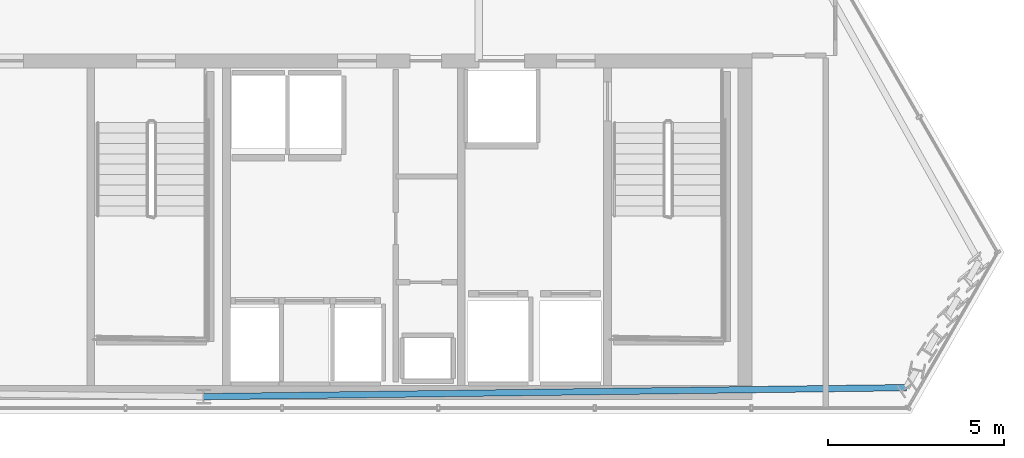
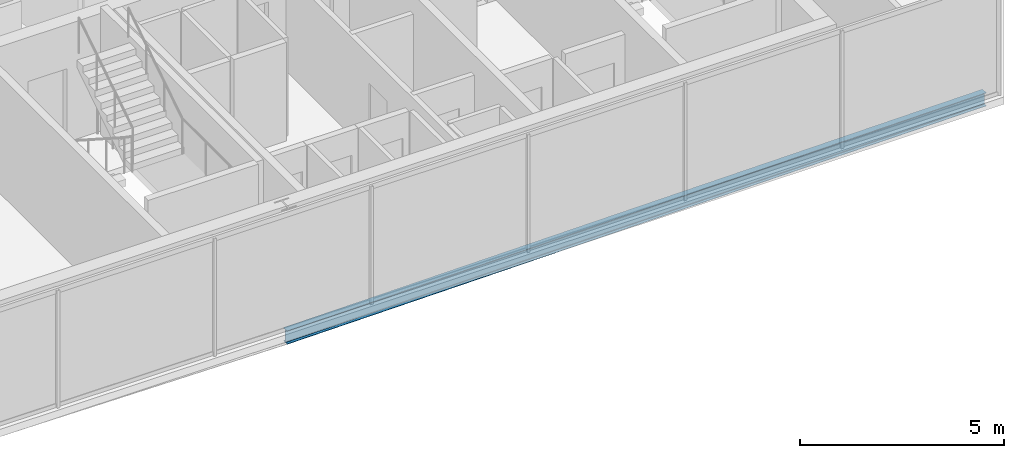
# One storey, part 22 of 35: 1 beam.
"""IFC4 building model written with IfcOpenShell, lengths in metres."""

from ifc_helpers import new_model, si_unit, direction, frame, origin, origin_2d, place, context, subcontext, project, spatial, i_section, extrude, material, material_profile, profile_set, type_object, element, save


model = new_model("IFC4")

# Units and contexts
model_context = context("Model", 3, precision=1e-05, world=origin(), true_north=direction((0.0, 1.0)))
body_context = subcontext(model_context, "Body", "Model", "MODEL_VIEW")
ifc_project = project(units=[si_unit("LENGTHUNIT", "METRE"), si_unit("AREAUNIT", "SQUARE_METRE"), si_unit("VOLUMEUNIT", "CUBIC_METRE"), si_unit("PLANEANGLEUNIT", "RADIAN"), si_unit("MASSUNIT", "GRAM", prefix="KILO")], contexts=[model_context])

# Site, building, storey
site_placement = place(None, origin())
site = spatial("IfcSite", under=ifc_project, at=site_placement, CompositionType="ELEMENT")
building_placement = place(site_placement, origin())
building = spatial("IfcBuilding", under=site, at=building_placement, Name="Ndaravel Arena Tower", CompositionType="ELEMENT")
storey_placement = place(building_placement, frame((0.0, 0.0, 275.0)))
storey = spatial("IfcBuildingStorey", under=building, at=storey_placement, Name="L67", CompositionType="ELEMENT", Elevation=275.0)

# Beam
ifc_material = material(Name="Steel S355", Category="steel")
ifc_material_profile = material_profile(ifc_material, i_section(OverallWidth=0.179931640625, OverallDepth=0.39990234375, WebThickness=0.008544921875, FlangeThickness=0.013427734375, FilletRadius=0.02099609375, at=origin_2d()), Name="IPE 400")
ifc_profile_set = profile_set([ifc_material_profile], Name="Steel S355")
beam_type = type_object("IfcBeamType", Name="BM-SPAN-IPE400", PredefinedType="SPANDREL", material=ifc_profile_set)
beam_placement = place(storey_placement, frame((42.0, 5.47998046875, -0.419921875), z_axis=(0.999917694391, 0.012829826299, 0.0), x_axis=(-0.012829826299, 0.999917694391, 0.0)))
element("IfcBeam", 1, at=beam_placement, inside=storey, type_object=beam_type, Name="L67 Perimeter Spandrel Beam SP-01", PredefinedType="SPANDREL", context=body_context, shape_type="SweptSolid", body=[
    extrude(i_section(OverallWidth=0.179931640625, OverallDepth=0.39990234375, WebThickness=0.008544921875, FlangeThickness=0.013427734375, FilletRadius=0.02099609375, at=origin_2d()), origin(), (0.0, 0.0, 1.0), 19.923583984375),
])

save(model, "model.ifc")
